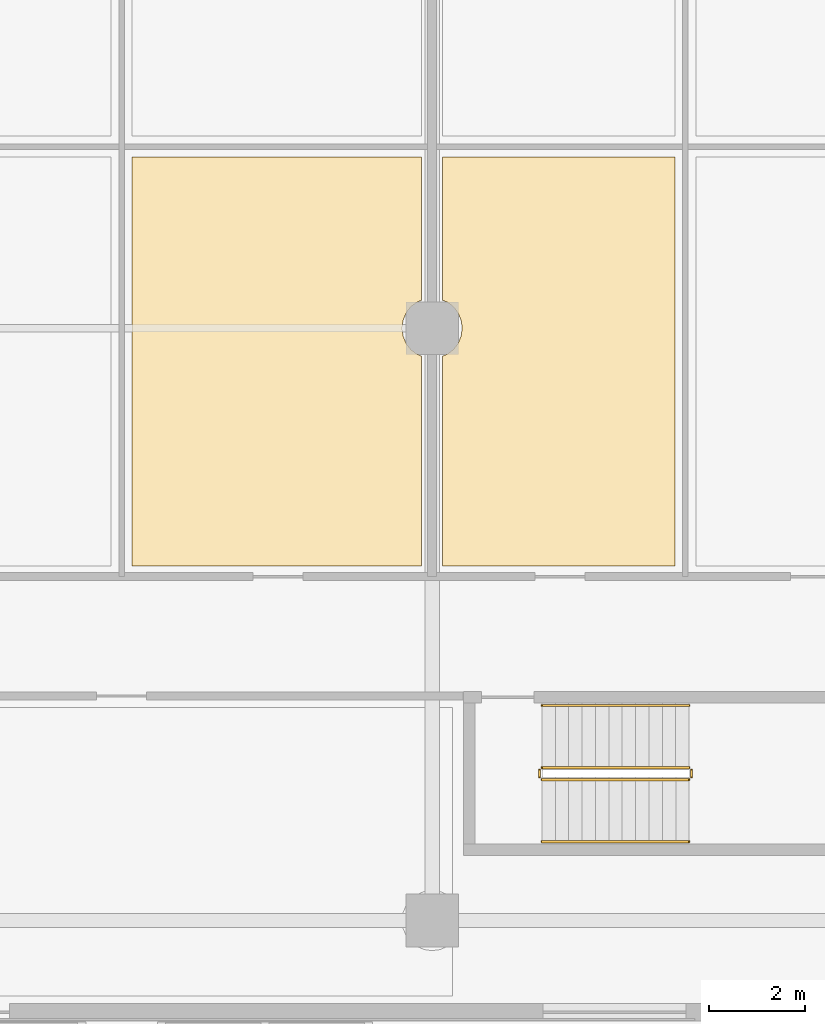
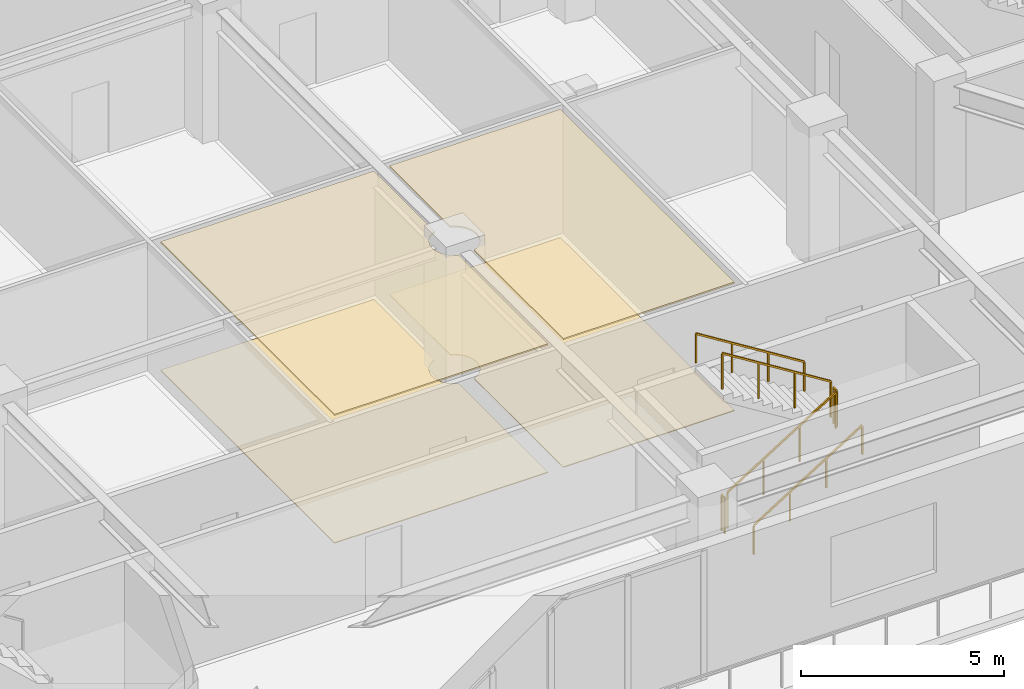
# One storey, part 16 of 22: 6 railings, 4 coverings.
"""IFC4 building model written with IfcOpenShell, lengths in metres."""

from ifc_helpers import new_model, si_unit, direction, frame, origin, origin_2d, place, context, subcontext, project, spatial, polyline, rectangle, outline, extrude, material, layer, layer_set, type_object, element, save


model = new_model("IFC4")

# Units and contexts
model_context = context("Model", 3, precision=1e-05, world=origin(), true_north=direction((0.0, 1.0)))
body_context = subcontext(model_context, "Body", "Model", "MODEL_VIEW")
ifc_project = project(units=[si_unit("LENGTHUNIT", "METRE"), si_unit("AREAUNIT", "SQUARE_METRE"), si_unit("VOLUMEUNIT", "CUBIC_METRE"), si_unit("PLANEANGLEUNIT", "RADIAN"), si_unit("MASSUNIT", "GRAM", prefix="KILO")], contexts=[model_context])

# Site, building, storey
site_placement = place(None, origin())
site = spatial("IfcSite", under=ifc_project, at=site_placement, CompositionType="ELEMENT")
building_placement = place(site_placement, origin())
building = spatial("IfcBuilding", under=site, at=building_placement, Name="Norrkilde Senior Care Towers", CompositionType="ELEMENT")
storey_placement = place(building_placement, frame((0.0, 0.0, 12.60009765625)))
storey = spatial("IfcBuildingStorey", under=building, at=storey_placement, Name="L03", CompositionType="ELEMENT", Elevation=12.60009765625)

# Coverings
ifc_material_1 = material(Name="Nordic Ash Timber", Category="wood")
ifc_layer_1 = layer(ifc_material_1, 0.044921875)
ifc_layer_set_1 = layer_set([ifc_layer_1], Name="Nordic Ash Timber")
covering_type_1 = type_object("IfcCoveringType", Name="Acoustic Ash Timber Slatted Ceiling 45", PredefinedType="CEILING", material=ifc_layer_set_1)
covering_1_placement = place(storey_placement, frame((0.0, 0.0, 3.8349609375)))
element("IfcCovering", 1, at=covering_1_placement, inside=storey, type_object=covering_type_1, Name="L03 Suspended Ceiling 0080", PredefinedType="CEILING", context=body_context, shape_type="SweptSolid", body=[
    extrude(outline(polyline([(6.280029296875, -5.4150390625), (6.18505859375, -5.454345703125), (6.054443359375, -5.554443359375), (5.954345703125, -5.68505859375), (5.891357421875, -5.8369140625), (5.8701171875, -6.0), (5.891357421875, -6.1630859375), (5.954345703125, -6.31494140625), (6.054443359375, -6.445556640625), (6.18505859375, -6.545654296875), (6.280029296875, -6.5849609375), (6.280029296875, -10.97998046875), (0.219970703125, -10.97998046875), (0.219970703125, -2.419921875), (6.280029296875, -2.419921875), (6.280029296875, -5.4150390625)])), origin(), (0.0, 0.0, 1.0), 0.044921875),
])
covering_2_placement = place(storey_placement, frame((0.0, 0.0, 3.8349609375)))
element("IfcCovering", 2, at=covering_2_placement, inside=storey, type_object=covering_type_1, Name="L03 Suspended Ceiling 0082", PredefinedType="CEILING", context=body_context, shape_type="SweptSolid", body=[
    extrude(outline(polyline([(11.580078125, -10.97998046875), (6.719970703125, -10.97998046875), (6.719970703125, -6.5849609375), (6.81494140625, -6.545654296875), (6.945556640625, -6.445556640625), (7.045654296875, -6.31494140625), (7.108642578125, -6.1630859375), (7.1298828125, -6.0), (7.108642578125, -5.8369140625), (7.045654296875, -5.68505859375), (6.945556640625, -5.554443359375), (6.81494140625, -5.454345703125), (6.719970703125, -5.4150390625), (6.719970703125, -2.419921875), (11.580078125, -2.419921875), (11.580078125, -10.97998046875)])), origin(), (0.0, 0.0, 1.0), 0.044921875),
])
ifc_material_2 = material(Name="Slip-Resistant Porcelain Stone", Category="masonry")
ifc_layer_2 = layer(ifc_material_2, 0.02490234375)
ifc_layer_set_2 = layer_set([ifc_layer_2], Name="Slip-Resistant Porcelain Stone")
covering_type_2 = type_object("IfcCoveringType", Name="Slip-Resistant Porcelain Flooring 25", PredefinedType="FLOORING", material=ifc_layer_set_2)
covering_3_placement = place(storey_placement, origin())
element("IfcCovering", 3, at=covering_3_placement, inside=storey, type_object=covering_type_2, Name="L03 Floor Finish 0080", PredefinedType="FLOORING", context=body_context, shape_type="SweptSolid", body=[
    extrude(outline(polyline([(6.280029296875, -5.4150390625), (6.18505859375, -5.454345703125), (6.054443359375, -5.554443359375), (5.954345703125, -5.68505859375), (5.891357421875, -5.8369140625), (5.8701171875, -6.0), (5.891357421875, -6.1630859375), (5.954345703125, -6.31494140625), (6.054443359375, -6.445556640625), (6.18505859375, -6.545654296875), (6.280029296875, -6.5849609375), (6.280029296875, -10.97998046875), (0.219970703125, -10.97998046875), (0.219970703125, -2.419921875), (6.280029296875, -2.419921875), (6.280029296875, -5.4150390625)])), origin(), (0.0, 0.0, 1.0), 0.02490234375),
])
covering_4_placement = place(storey_placement, origin())
element("IfcCovering", 4, at=covering_4_placement, inside=storey, type_object=covering_type_2, Name="L03 Floor Finish 0082", PredefinedType="FLOORING", context=body_context, shape_type="SweptSolid", body=[
    extrude(outline(polyline([(11.580078125, -10.97998046875), (6.719970703125, -10.97998046875), (6.719970703125, -6.5849609375), (6.81494140625, -6.545654296875), (6.945556640625, -6.445556640625), (7.045654296875, -6.31494140625), (7.108642578125, -6.1630859375), (7.1298828125, -6.0), (7.108642578125, -5.8369140625), (7.045654296875, -5.68505859375), (6.945556640625, -5.554443359375), (6.81494140625, -5.454345703125), (6.719970703125, -5.4150390625), (6.719970703125, -2.419921875), (11.580078125, -2.419921875), (11.580078125, -10.97998046875)])), origin(), (0.0, 0.0, 1.0), 0.02490234375),
])

# Railings
ifc_material_3 = material(Name="Stainless Steel", Category="steel")
railing_type_1 = type_object("IfcRailingType", Name="Stair and Terrace Guardrail 1100", PredefinedType="GUARDRAIL", material=ifc_material_3)
railing_1_placement = place(storey_placement, frame((8.800048828125, -15.449951171875, 0.1748046875)))
element("IfcRailing", 5, at=railing_1_placement, inside=storey, type_object=railing_type_1, Name="L03 ST-P2 stair guard 1", PredefinedType="GUARDRAIL", context=body_context, shape_type="SweptSolid", body=[
    extrude(rectangle(XDim=0.048095703125, YDim=0.048095703125, at=origin_2d()), frame((0.0, 0.0, 1.076171875), z_axis=(0.847979421464, 0.0, 0.530029150871), x_axis=(0.0, 1.0, 0.0)), (0.0, 0.0, 1.0), 3.632080078125),
    extrude(rectangle(XDim=0.0419921875, YDim=0.0419921875, at=origin_2d()), origin(), (0.0, 0.0, 1.0), 1.050048828125),
    extrude(rectangle(XDim=0.0419921875, YDim=0.0419921875, at=origin_2d()), frame((1.026611328125, 0.0, 0.6416015625)), (0.0, 0.0, 1.0), 1.050048828125),
    extrude(rectangle(XDim=0.0419921875, YDim=0.0419921875, at=origin_2d()), frame((2.05322265625, 0.0, 1.283447265625)), (0.0, 0.0, 1.0), 1.050048828125),
    extrude(rectangle(XDim=0.0419921875, YDim=0.0419921875, at=origin_2d()), frame((3.079833984375, 0.0, 1.925048828125)), (0.0, 0.0, 1.0), 1.050048828125),
])
railing_2_placement = place(storey_placement, frame((11.929931640625, -15.39990234375, 2.099853515625)))
element("IfcRailing", 6, at=railing_2_placement, inside=storey, type_object=railing_type_1, Name="L03 ST-P2 stair guard 2", PredefinedType="GUARDRAIL", context=body_context, shape_type="SweptSolid", body=[
    extrude(rectangle(XDim=0.048095703125, YDim=0.048095703125, at=origin_2d()), frame((0.0, 0.0, 1.076171875), z_axis=(0.0, 1.0, 0.0), x_axis=(-1.0, 0.0, 0.0)), (0.0, 0.0, 1.0), 0.14990234375),
    extrude(rectangle(XDim=0.0419921875, YDim=0.0419921875, at=origin_2d()), origin(), (0.0, 0.0, 1.0), 1.050048828125),
    extrude(rectangle(XDim=0.0419921875, YDim=0.0419921875, at=origin_2d()), frame((0.0, 0.14990234375, 0.0)), (0.0, 0.0, 1.0), 1.050048828125),
])
railing_3_placement = place(storey_placement, frame((11.8798828125, -15.199951171875, 2.27490234375)))
element("IfcRailing", 7, at=railing_3_placement, inside=storey, type_object=railing_type_1, Name="L03 ST-P2 stair guard 3", PredefinedType="GUARDRAIL", context=body_context, shape_type="SweptSolid", body=[
    extrude(rectangle(XDim=0.048095703125, YDim=0.048095703125, at=origin_2d()), frame((0.0, 0.0, 1.076171875), z_axis=(-0.847979421464, 0.0, 0.530029150871), x_axis=(0.0, -1.0, 0.0)), (0.0, 0.0, 1.0), 3.632080078125),
    extrude(rectangle(XDim=0.0419921875, YDim=0.0419921875, at=origin_2d()), origin(), (0.0, 0.0, 1.0), 1.050048828125),
    extrude(rectangle(XDim=0.0419921875, YDim=0.0419921875, at=origin_2d()), frame((-1.026611328125, 0.0, 0.6416015625)), (0.0, 0.0, 1.0), 1.050048828125),
    extrude(rectangle(XDim=0.0419921875, YDim=0.0419921875, at=origin_2d()), frame((-2.05322265625, 0.0, 1.283447265625)), (0.0, 0.0, 1.0), 1.050048828125),
    extrude(rectangle(XDim=0.0419921875, YDim=0.0419921875, at=origin_2d()), frame((-3.079833984375, 0.0, 1.925048828125)), (0.0, 0.0, 1.0), 1.050048828125),
])
railing_4_placement = place(storey_placement, frame((8.75, -15.39990234375, 0.0)))
element("IfcRailing", 8, at=railing_4_placement, inside=storey, type_object=railing_type_1, Name="L03 ST-P2 stair guard 4", PredefinedType="GUARDRAIL", context=body_context, shape_type="SweptSolid", body=[
    extrude(rectangle(XDim=0.048095703125, YDim=0.048095703125, at=origin_2d()), frame((0.0, 0.0, 1.076171875), z_axis=(0.0, 1.0, 0.0), x_axis=(-1.0, 0.0, 0.0)), (0.0, 0.0, 1.0), 0.14990234375),
    extrude(rectangle(XDim=0.0419921875, YDim=0.0419921875, at=origin_2d()), origin(), (0.0, 0.0, 1.0), 1.050048828125),
    extrude(rectangle(XDim=0.0419921875, YDim=0.0419921875, at=origin_2d()), frame((0.0, 0.14990234375, 0.0)), (0.0, 0.0, 1.0), 1.050048828125),
])
railing_type_2 = type_object("IfcRailingType", Name="Wall and Stair Handrail 900", PredefinedType="HANDRAIL", material=ifc_material_1)
railing_5_placement = place(storey_placement, frame((8.800048828125, -16.75, 0.1748046875)))
element("IfcRailing", 9, at=railing_5_placement, inside=storey, type_object=railing_type_2, Name="L03 ST-P2 stair handrail 1", PredefinedType="HANDRAIL", context=body_context, shape_type="SweptSolid", body=[
    extrude(rectangle(XDim=0.048095703125, YDim=0.048095703125, at=origin_2d()), frame((0.0, 0.0, 0.8759765625), z_axis=(0.847979421464, 0.0, 0.530029150871), x_axis=(0.0, 1.0, 0.0)), (0.0, 0.0, 1.0), 3.632080078125),
    extrude(rectangle(XDim=0.0419921875, YDim=0.0419921875, at=origin_2d()), origin(), (0.0, 0.0, 1.0), 0.849853515625),
    extrude(rectangle(XDim=0.0419921875, YDim=0.0419921875, at=origin_2d()), frame((1.026611328125, 0.0, 0.6416015625)), (0.0, 0.0, 1.0), 0.849853515625),
    extrude(rectangle(XDim=0.0419921875, YDim=0.0419921875, at=origin_2d()), frame((2.05322265625, 0.0, 1.283447265625)), (0.0, 0.0, 1.0), 0.849853515625),
    extrude(rectangle(XDim=0.0419921875, YDim=0.0419921875, at=origin_2d()), frame((3.079833984375, 0.0, 1.925048828125)), (0.0, 0.0, 1.0), 0.849853515625),
])
railing_6_placement = place(storey_placement, frame((11.8798828125, -13.89990234375, 2.27490234375)))
element("IfcRailing", 10, at=railing_6_placement, inside=storey, type_object=railing_type_2, Name="L03 ST-P2 stair handrail 2", PredefinedType="HANDRAIL", context=body_context, shape_type="SweptSolid", body=[
    extrude(rectangle(XDim=0.048095703125, YDim=0.048095703125, at=origin_2d()), frame((0.0, 0.0, 0.8759765625), z_axis=(-0.847979421464, 0.0, 0.530029150871), x_axis=(0.0, -1.0, 0.0)), (0.0, 0.0, 1.0), 3.632080078125),
    extrude(rectangle(XDim=0.0419921875, YDim=0.0419921875, at=origin_2d()), origin(), (0.0, 0.0, 1.0), 0.849853515625),
    extrude(rectangle(XDim=0.0419921875, YDim=0.0419921875, at=origin_2d()), frame((-1.026611328125, 0.0, 0.6416015625)), (0.0, 0.0, 1.0), 0.849853515625),
    extrude(rectangle(XDim=0.0419921875, YDim=0.0419921875, at=origin_2d()), frame((-2.05322265625, 0.0, 1.283447265625)), (0.0, 0.0, 1.0), 0.849853515625),
    extrude(rectangle(XDim=0.0419921875, YDim=0.0419921875, at=origin_2d()), frame((-3.079833984375, 0.0, 1.925048828125)), (0.0, 0.0, 1.0), 0.849853515625),
])

save(model, "model.ifc")
